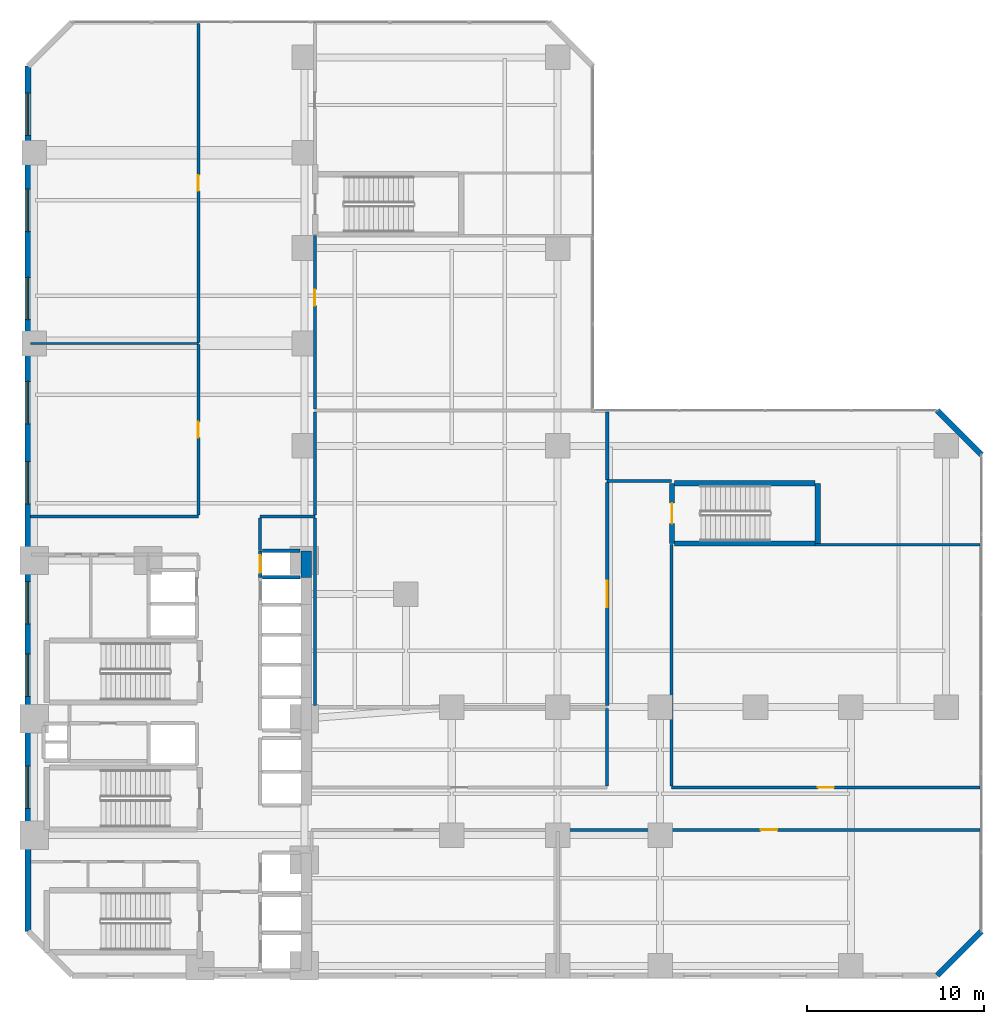
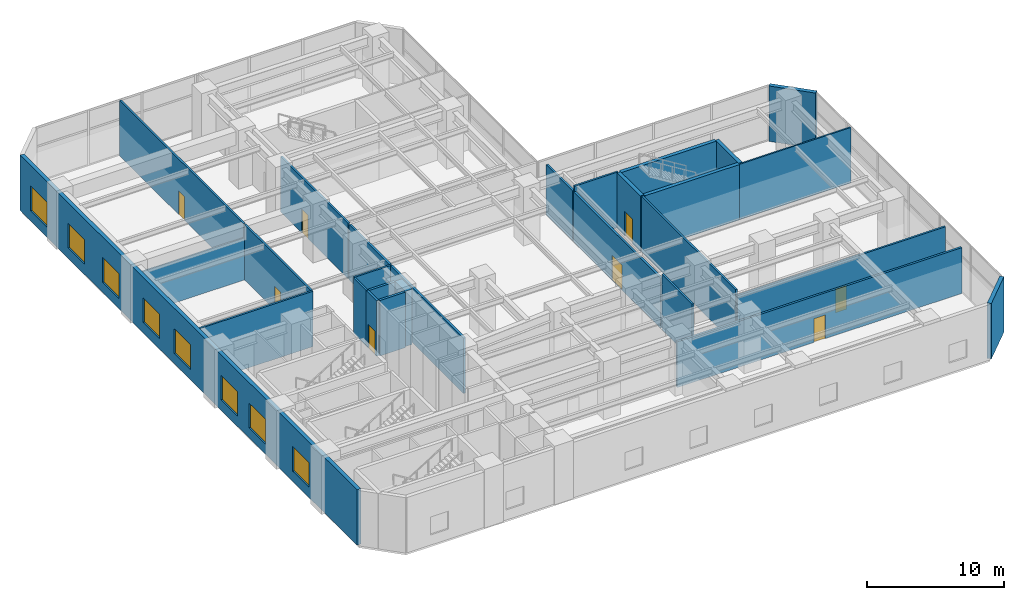
# One storey, part 16 of 22: 28 walls, 8 doors, 8 windows, 16 openings.
"""IFC4 building model written with IfcOpenShell, lengths in metres."""

from ifc_helpers import new_model, si_unit, direction, frame, frame_2d, origin, place, context, subcontext, project, spatial, rectangle, extrude, material, layer, layer_set, type_object, element, fill, save


model = new_model("IFC4")

# Units and contexts
model_context = context("Model", 3, precision=1e-05, world=origin(), true_north=direction((0.0, 1.0)))
body_context = subcontext(model_context, "Body", "Model", "MODEL_VIEW")
ifc_project = project(units=[si_unit("LENGTHUNIT", "METRE"), si_unit("AREAUNIT", "SQUARE_METRE"), si_unit("VOLUMEUNIT", "CUBIC_METRE"), si_unit("PLANEANGLEUNIT", "RADIAN"), si_unit("MASSUNIT", "GRAM", prefix="KILO")], contexts=[model_context])

# Site, building, storey
site_placement = place(None, origin())
site = spatial("IfcSite", under=ifc_project, at=site_placement, CompositionType="ELEMENT")
building_placement = place(site_placement, origin())
building = spatial("IfcBuilding", under=site, at=building_placement, Name="Mawjaban Terraces University", CompositionType="ELEMENT")
storey_placement = place(building_placement, frame((0.0, 0.0, 5.199951171875)))
storey = spatial("IfcBuildingStorey", under=building, at=storey_placement, Name="L01", CompositionType="ELEMENT", Elevation=5.199951171875)

# Wall, opening, door
ifc_material_1 = material(Name="Acoustic masonry blockwork", Category="masonry")
ifc_layer_1 = layer(ifc_material_1, 0.179931640625)
ifc_layer_set_1 = layer_set([ifc_layer_1], Name="Acoustic masonry blockwork")
wall_type_1 = type_object("IfcWallType", Name="AcousticStudioWall_180", PredefinedType="PARTITIONING", material=ifc_layer_set_1)
wall_1_placement = place(storey_placement, frame((52.0, 8.25, 0.0), z_axis=(0.0, 0.0, 1.0), x_axis=(1.0, 0.0, 0.0)))
wall_1 = element("IfcWall", 1, at=wall_1_placement, inside=storey, type_object=wall_type_1, Name="L01 Podium Academic Gallery Corridor Partition 18", PredefinedType="PARTITIONING", context=body_context, shape_type="SweptSolid", body=[
    extrude(rectangle(XDim=23.919921875, YDim=0.179931640625, at=frame_2d((11.9599609375, 0.0))), origin(), (0.0, 0.0, 1.0), 4.06494140625),
])
opening_1_placement = place(wall_1_placement, frame((11.485107421875, 0.0, 0.0)))
opening_1 = element("IfcOpeningElement", 2, at=opening_1_placement, cuts=wall_1, Name="Opening ID-095", PredefinedType="OPENING", context=body_context, shape_type="SweptSolid", body=[
    extrude(rectangle(XDim=0.949951171875, YDim=2.10009765625, at=frame_2d((0.47509765625, 1.050048828125))), frame((0.0, 0.099853515625, 0.0), z_axis=(0.0, -1.0, 0.0), x_axis=(1.0, 0.0, 0.0)), (0.0, 0.0, 1.0), 0.199951171875),
])
ifc_material_2 = material(Name="Powder-coated steel frame and solid acoustic timber leaf", Category="steel")
door_type_1 = type_object("IfcDoorType", Name="StudioDoor_950x2100", OperationType="NOTDEFINED", PredefinedType="DOOR", material=ifc_material_2)
door_1_placement = place(opening_1_placement, origin())
door_1 = element("IfcDoor", 3, at=door_1_placement, inside=storey, type_object=door_type_1, Name="L01 Instructional Media Studio Door", OperationType="SINGLE_SWING_LEFT", OverallHeight=2.10009765625, OverallWidth=0.949951171875, PredefinedType="DOOR", context=body_context, shape_type="SweptSolid", body=[
    extrude(rectangle(XDim=0.949951171875, YDim=2.10009765625, at=frame_2d((0.47509765625, 1.050048828125))), frame((0.0, 0.02490234375, 0.0), z_axis=(0.0, -1.0, 0.0), x_axis=(1.0, 0.0, 0.0)), (0.0, 0.0, 1.0), 0.050048828125),
])
fill(opening_1, door_1)

# Walls
wall_2_placement = place(storey_placement, frame((38.25, 25.925048828125, 0.0), z_axis=(0.0, 0.0, 1.0), x_axis=(0.0, -1.0, 0.0)))
element("IfcWall", 4, at=wall_2_placement, inside=storey, type_object=wall_type_1, Name="L01 Fixed-Seat Lecture Theatre Partition 35", PredefinedType="PARTITIONING", context=body_context, shape_type="SweptSolid", body=[
    extrude(rectangle(XDim=10.64013671875, YDim=0.179931640625, at=frame_2d((5.320068359375, 0.0))), origin(), (0.0, 0.0, 1.0), 4.920166015625),
])
wall_3_placement = place(storey_placement, frame((38.25, 26.074951171875, 0.0), z_axis=(0.0, 0.0, 1.0), x_axis=(0.0, 1.0, 0.0)))
element("IfcWall", 5, at=wall_3_placement, inside=storey, type_object=wall_type_1, Name="L01 Podium Library Concourse Partition 36", PredefinedType="PARTITIONING", context=body_context, shape_type="SweptSolid", body=[
    extrude(rectangle(XDim=5.840087890625, YDim=0.179931640625, at=frame_2d((2.919921875, 0.0))), origin(), (0.0, 0.0, 1.0), 4.920166015625),
])
wall_4_placement = place(storey_placement, frame((54.800048828125, 28.074951171875, 0.0), z_axis=(0.0, 0.0, 1.0), x_axis=(0.0, 1.0, 0.0)))
element("IfcWall", 6, at=wall_4_placement, inside=storey, type_object=wall_type_1, Name="L01 Fixed-Seat Lecture Theatre Partition 41", PredefinedType="PARTITIONING", context=body_context, shape_type="SweptSolid", body=[
    extrude(rectangle(XDim=3.8349609375, YDim=0.179931640625, at=frame_2d((1.91748046875, 0.0))), origin(), (0.0, 0.0, 1.0), 4.450927734375),
])

# Wall, opening, door
wall_5_placement = place(storey_placement, frame((54.800048828125, 27.925048828125, 0.0), z_axis=(0.0, 0.0, 1.0), x_axis=(0.0, -1.0, 0.0)))
wall_5 = element("IfcWall", 7, at=wall_5_placement, inside=storey, type_object=wall_type_1, Name="L01 East Stair Access Corridor Partition 42", PredefinedType="PARTITIONING", context=body_context, shape_type="SweptSolid", body=[
    extrude(rectangle(XDim=12.64013671875, YDim=0.179931640625, at=frame_2d((6.320068359375, 0.0))), origin(), (0.0, 0.0, 1.0), 4.450927734375),
])
opening_2_placement = place(wall_5_placement, frame((5.570068359375, 0.0, 0.0)))
opening_2 = element("IfcOpeningElement", 8, at=opening_2_placement, cuts=wall_5, Name="Opening ID-150", PredefinedType="OPENING", context=body_context, shape_type="SweptSolid", body=[
    extrude(rectangle(XDim=1.5, YDim=2.199951171875, at=frame_2d((0.75, 1.10009765625))), frame((0.0, 0.099853515625, 0.0), z_axis=(0.0, -1.0, 0.0), x_axis=(1.0, 0.0, 0.0)), (0.0, 0.0, 1.0), 0.199951171875),
])
ifc_material_3 = material(Name="Powder-coated steel frame and fire-rated steel-faced leaf", Category="steel")
door_type_2 = type_object("IfcDoorType", Name="LectureDoubleDoor_1500x2200", OperationType="NOTDEFINED", PredefinedType="DOOR", material=ifc_material_3)
door_2_placement = place(opening_2_placement, origin())
door_2 = element("IfcDoor", 9, at=door_2_placement, inside=storey, type_object=door_type_2, Name="L01 Fixed-Seat Lecture Theatre Door", OperationType="SINGLE_SWING_LEFT", OverallHeight=2.199951171875, OverallWidth=1.5, PredefinedType="DOOR", context=body_context, shape_type="SweptSolid", body=[
    extrude(rectangle(XDim=1.5, YDim=2.199951171875, at=frame_2d((0.75, 1.10009765625))), frame((0.0, 0.02490234375, 0.0), z_axis=(0.0, -1.0, 0.0), x_axis=(1.0, 0.0, 0.0)), (0.0, 0.0, 1.0), 0.050048828125),
])
fill(opening_2, door_2)

# Walls
ifc_material_4 = material(Name="Concrete C70/85", Category="concrete")
ifc_layer_2 = layer(ifc_material_4, 0.60009765625)
ifc_layer_set_2 = layer_set([ifc_layer_2], Name="Concrete C70/85")
wall_type_2 = type_object("IfcWallType", Name="CoreShearWall_600", PredefinedType="SHEAR", material=ifc_layer_set_2)
wall_6_placement = place(storey_placement, frame((37.75, 22.550048828125, 0.0), z_axis=(0.0, 0.0, 1.0), x_axis=(0.0, 1.0, 0.0)))
element("IfcWall", 10, at=wall_6_placement, inside=storey, type_object=wall_type_2, Name="L01 Lift PL-L2 Hoistway Wall East", PredefinedType="SHEAR", context=body_context, shape_type="SweptSolid", body=[
    extrude(rectangle(XDim=1.5, YDim=0.60009765625, at=frame_2d((0.75, 0.0))), origin(), (0.0, 0.0, 1.0), 4.920166015625),
])
ifc_material_5 = material(Name="Fire-rated gypsum board on steel stud", Category="steel")
ifc_layer_3 = layer(ifc_material_5, 0.159912109375)
ifc_layer_set_3 = layer_set([ifc_layer_3], Name="Fire-rated gypsum board on steel stud")
wall_type_3 = type_object("IfcWallType", Name="CorridorPartition_160", PredefinedType="PARTITIONING", material=ifc_layer_set_3)
wall_7_placement = place(storey_placement, frame((31.64990234375, 26.0, 0.0), z_axis=(0.0, 0.0, 1.0), x_axis=(-1.0, 0.0, 0.0)))
element("IfcWall", 11, at=wall_7_placement, inside=storey, type_object=wall_type_3, Name="L01 North Core Cross-Corridor Partition 10", PredefinedType="PARTITIONING", context=body_context, shape_type="SweptSolid", body=[
    extrude(rectangle(XDim=9.494873046875, YDim=0.159912109375, at=frame_2d((4.74755859375, 0.0))), origin(), (0.0, 0.0, 1.0), 4.920166015625),
])
wall_8_placement = place(storey_placement, frame((35.14990234375, 26.0, 0.0), z_axis=(0.0, 0.0, 1.0), x_axis=(1.0, 0.0, 0.0)))
element("IfcWall", 12, at=wall_8_placement, inside=storey, type_object=wall_type_3, Name="L01 Podium Library Concourse Partition 13", PredefinedType="PARTITIONING", context=body_context, shape_type="SweptSolid", body=[
    extrude(rectangle(XDim=3.10009765625, YDim=0.159912109375, at=frame_2d((1.550048828125, 0.0))), origin(), (0.0, 0.0, 1.0), 4.920166015625),
])
wall_9_placement = place(storey_placement, frame((58.449951171875, 28.0, 0.0), z_axis=(0.0, 0.0, 1.0), x_axis=(-1.0, 0.0, 0.0)))
element("IfcWall", 13, at=wall_9_placement, inside=storey, type_object=wall_type_3, Name="L01 East Stair Access Corridor Partition 21", PredefinedType="PARTITIONING", context=body_context, shape_type="SweptSolid", body=[
    extrude(rectangle(XDim=3.64990234375, YDim=0.159912109375, at=frame_2d((1.824951171875, 0.0))), origin(), (0.0, 0.0, 1.0), 4.920166015625),
])

# Wall, opening, door
wall_10_placement = place(storey_placement, frame((75.919921875, 10.64990234375, 0.0), z_axis=(0.0, 0.0, 1.0), x_axis=(-1.0, 0.0, 0.0)))
wall_10 = element("IfcWall", 14, at=wall_10_placement, inside=storey, type_object=wall_type_3, Name="L01 Podium Academic Gallery Corridor Partition 22", PredefinedType="PARTITIONING", context=body_context, shape_type="SweptSolid", body=[
    extrude(rectangle(XDim=17.469970703125, YDim=0.159912109375, at=frame_2d((8.73486328125, 0.0))), origin(), (0.0, 0.0, 1.0), 4.450927734375),
])
opening_3_placement = place(wall_10_placement, frame((8.284912109375, 0.0, 0.0)))
opening_3 = element("IfcOpeningElement", 15, at=opening_3_placement, cuts=wall_10, Name="Opening ID-090", PredefinedType="OPENING", context=body_context, shape_type="SweptSolid", body=[
    extrude(rectangle(XDim=0.89990234375, YDim=2.10009765625, at=frame_2d((0.449951171875, 1.050048828125))), frame((0.0, 0.08984375, 0.0), z_axis=(0.0, -1.0, 0.0), x_axis=(1.0, 0.0, 0.0)), (0.0, 0.0, 1.0), 0.179931640625),
])
door_type_3 = type_object("IfcDoorType", Name="OfficeDoor_900x2100", OperationType="NOTDEFINED", PredefinedType="DOOR", material=ifc_material_2)
door_3_placement = place(opening_3_placement, origin())
door_3 = element("IfcDoor", 16, at=door_3_placement, inside=storey, type_object=door_type_3, Name="L01 Podium Colloquium Hall Door", OperationType="SINGLE_SWING_RIGHT", OverallHeight=2.10009765625, OverallWidth=0.89990234375, PredefinedType="DOOR", context=body_context, shape_type="SweptSolid", body=[
    extrude(rectangle(XDim=0.89990234375, YDim=2.10009765625, at=frame_2d((0.449951171875, 1.050048828125))), frame((0.0, 0.02490234375, 0.0), z_axis=(0.0, -1.0, 0.0), x_axis=(1.0, 0.0, 0.0)), (0.0, 0.0, 1.0), 0.050048828125),
])
fill(opening_3, door_3)

wall_11_placement = place(storey_placement, frame((31.64990234375, 35.741943359375, 0.0), z_axis=(0.0, 0.0, 1.0), x_axis=(0.0, -1.0, 0.0)))
wall_11 = element("IfcWall", 17, at=wall_11_placement, inside=storey, type_object=wall_type_3, Name="L01 Podium Library Concourse Partition 31", PredefinedType="PARTITIONING", context=body_context, shape_type="SweptSolid", body=[
    extrude(rectangle(XDim=9.6669921875, YDim=0.159912109375, at=frame_2d((4.83349609375, 0.0))), origin(), (0.0, 0.0, 1.0), 4.920166015625),
])
opening_4_placement = place(wall_11_placement, frame((4.383056640625, 0.0, 0.0)))
opening_4 = element("IfcOpeningElement", 18, at=opening_4_placement, cuts=wall_11, Name="Opening ID-090", PredefinedType="OPENING", context=body_context, shape_type="SweptSolid", body=[
    extrude(rectangle(XDim=0.89990234375, YDim=2.10009765625, at=frame_2d((0.449951171875, 1.050048828125))), frame((0.0, 0.08984375, 0.0), z_axis=(0.0, -1.0, 0.0), x_axis=(1.0, 0.0, 0.0)), (0.0, 0.0, 1.0), 0.179931640625),
])
door_4_placement = place(opening_4_placement, origin())
door_4 = element("IfcDoor", 19, at=door_4_placement, inside=storey, type_object=door_type_3, Name="L01 Central Library Bookstack Hall Door", OperationType="SINGLE_SWING_RIGHT", OverallHeight=2.10009765625, OverallWidth=0.89990234375, PredefinedType="DOOR", context=body_context, shape_type="SweptSolid", body=[
    extrude(rectangle(XDim=0.89990234375, YDim=2.10009765625, at=frame_2d((0.449951171875, 1.050048828125))), frame((0.0, 0.02490234375, 0.0), z_axis=(0.0, -1.0, 0.0), x_axis=(1.0, 0.0, 0.0)), (0.0, 0.0, 1.0), 0.050048828125),
])
fill(opening_4, door_4)

wall_12_placement = place(storey_placement, frame((31.64990234375, 53.909912109375, 0.0), z_axis=(0.0, 0.0, 1.0), x_axis=(0.0, -1.0, 0.0)))
wall_12 = element("IfcWall", 20, at=wall_12_placement, inside=storey, type_object=wall_type_3, Name="L01 Podium Library Concourse Partition 32", PredefinedType="PARTITIONING", context=body_context, shape_type="SweptSolid", body=[
    extrude(rectangle(XDim=18.052978515625, YDim=0.159912109375, at=frame_2d((9.0263671875, 0.0))), origin(), (0.0, 0.0, 1.0), 4.920166015625),
])
opening_5_placement = place(wall_12_placement, frame((8.575927734375, 0.0, 0.0)))
opening_5 = element("IfcOpeningElement", 21, at=opening_5_placement, cuts=wall_12, Name="Opening ID-090", PredefinedType="OPENING", context=body_context, shape_type="SweptSolid", body=[
    extrude(rectangle(XDim=0.89990234375, YDim=2.10009765625, at=frame_2d((0.449951171875, 1.050048828125))), frame((0.0, 0.08984375, 0.0), z_axis=(0.0, -1.0, 0.0), x_axis=(1.0, 0.0, 0.0)), (0.0, 0.0, 1.0), 0.179931640625),
])
door_5_placement = place(opening_5_placement, origin())
door_5 = element("IfcDoor", 22, at=door_5_placement, inside=storey, type_object=door_type_3, Name="L01 Library Cataloguing and Faculty Office Door", OperationType="SINGLE_SWING_LEFT", OverallHeight=2.10009765625, OverallWidth=0.89990234375, PredefinedType="DOOR", context=body_context, shape_type="SweptSolid", body=[
    extrude(rectangle(XDim=0.89990234375, YDim=2.10009765625, at=frame_2d((0.449951171875, 1.050048828125))), frame((0.0, 0.02490234375, 0.0), z_axis=(0.0, -1.0, 0.0), x_axis=(1.0, 0.0, 0.0)), (0.0, 0.0, 1.0), 0.050048828125),
])
fill(opening_5, door_5)

# Wall
wall_13_placement = place(storey_placement, frame((35.14990234375, 24.070068359375, 0.0), z_axis=(0.0, 0.0, 1.0), x_axis=(0.0, 1.0, 0.0)))
element("IfcWall", 23, at=wall_13_placement, inside=storey, type_object=wall_type_3, Name="L01 North Core Cross-Corridor Partition 33", PredefinedType="PARTITIONING", context=body_context, shape_type="SweptSolid", body=[
    extrude(rectangle(XDim=1.85498046875, YDim=0.159912109375, at=frame_2d((0.927490234375, 0.0))), origin(), (0.0, 0.0, 1.0), 4.920166015625),
])

# Wall, opening, door
wall_14_placement = place(storey_placement, frame((38.25, 32.0849609375, 0.0), z_axis=(0.0, 0.0, 1.0), x_axis=(0.0, 1.0, 0.0)))
wall_14 = element("IfcWall", 24, at=wall_14_placement, inside=storey, type_object=wall_type_3, Name="L01 Podium Library Concourse Partition 37", PredefinedType="PARTITIONING", context=body_context, shape_type="SweptSolid", body=[
    extrude(rectangle(XDim=9.81494140625, YDim=0.159912109375, at=frame_2d((4.907470703125, 0.0))), origin(), (0.0, 0.0, 1.0), 4.920166015625),
])
opening_6_placement = place(wall_14_placement, frame((5.85693359375, 0.0, 0.0)))
opening_6 = element("IfcOpeningElement", 25, at=opening_6_placement, cuts=wall_14, Name="Opening ID-090", PredefinedType="OPENING", context=body_context, shape_type="SweptSolid", body=[
    extrude(rectangle(XDim=0.89990234375, YDim=2.10009765625, at=frame_2d((0.449951171875, 1.050048828125))), frame((0.0, 0.08984375, 0.0), z_axis=(0.0, -1.0, 0.0), x_axis=(1.0, 0.0, 0.0)), (0.0, 0.0, 1.0), 0.179931640625),
])
door_6_placement = place(opening_6_placement, origin())
door_6 = element("IfcDoor", 26, at=door_6_placement, inside=storey, type_object=door_type_3, Name="L01 Digital Scholarship Reading Hall Door", OperationType="SINGLE_SWING_RIGHT", OverallHeight=2.10009765625, OverallWidth=0.89990234375, PredefinedType="DOOR", context=body_context, shape_type="SweptSolid", body=[
    extrude(rectangle(XDim=0.89990234375, YDim=2.10009765625, at=frame_2d((0.449951171875, 1.050048828125))), frame((0.0, 0.02490234375, 0.0), z_axis=(0.0, -1.0, 0.0), x_axis=(1.0, 0.0, 0.0)), (0.0, 0.0, 1.0), 0.050048828125),
])
fill(opening_6, door_6)

# Walls
wall_15_placement = place(storey_placement, frame((54.800048828125, 15.114990234375, 0.0), z_axis=(0.0, 0.0, 1.0), x_axis=(0.0, -1.0, 0.0)))
element("IfcWall", 27, at=wall_15_placement, inside=storey, type_object=wall_type_3, Name="L01 East Stair Access Corridor Partition 40", PredefinedType="PARTITIONING", context=body_context, shape_type="SweptSolid", body=[
    extrude(rectangle(XDim=4.389892578125, YDim=0.159912109375, at=frame_2d((2.19482421875, 0.0))), origin(), (0.0, 0.0, 1.0), 4.920166015625),
])
wall_16_placement = place(storey_placement, frame((58.449951171875, 10.72509765625, 0.0), z_axis=(0.0, 0.0, 1.0), x_axis=(0.0, 1.0, 0.0)))
element("IfcWall", 28, at=wall_16_placement, inside=storey, type_object=wall_type_3, Name="L01 East Stair Access Corridor Partition 43", PredefinedType="PARTITIONING", context=body_context, shape_type="SweptSolid", body=[
    extrude(rectangle(XDim=13.6748046875, YDim=0.159912109375, at=frame_2d((6.83740234375, 0.0))), origin(), (0.0, 0.0, 1.0), 4.920166015625),
])
ifc_material_6 = material(Name="Insulated terracotta rainscreen on concrete backup C40/50", Category="masonry")
ifc_layer_4 = layer(ifc_material_6, 0.320068359375)
ifc_layer_set_4 = layer_set([ifc_layer_4], Name="Insulated terracotta rainscreen on concrete backup C40/50")
wall_type_4 = type_object("IfcWallType", Name="ExtTerracottaWall_320", PredefinedType="SOLIDWALL", material=ifc_layer_set_4)
for number, where, z_axis, x_axis, name in (
    (29, (73.5, 0.0, 0.0), (0.0, 0.0, 1.0), (0.707106781187, 0.707106781187, 0.0), "L01 Exterior Terracotta Wall 2"),
    (30, (76.0, 29.5, 0.0), (0.0, 0.0, 1.0), (-0.707106781187, 0.707106781187, 0.0), "L01 Exterior Terracotta Wall 4"),
):
    element("IfcWall", number, at=place(storey_placement, frame(where, z_axis=z_axis, x_axis=x_axis)), inside=storey, type_object=wall_type_4, Name=name, PredefinedType="SOLIDWALL", context=body_context, shape_type="SweptSolid", body=[
        extrude(rectangle(XDim=3.53564453125, YDim=0.320068359375, at=frame_2d((1.767822265625, 0.0))), origin(), (0.0, 0.0, 1.0), 4.920166015625),
    ])

# Wall, openings, windows
wall_17_placement = place(storey_placement, frame((22.0, 51.5, 0.0), z_axis=(0.0, 0.0, 1.0), x_axis=(0.0, -1.0, 0.0)))
wall_17 = element("IfcWall", 31, at=wall_17_placement, inside=storey, type_object=wall_type_4, Name="L01 Exterior Terracotta Wall 10", PredefinedType="SOLIDWALL", context=body_context, shape_type="SweptSolid", body=[
    extrude(rectangle(XDim=49.0, YDim=0.320068359375, at=frame_2d((24.5, 0.0))), origin(), (0.0, 0.0, 1.0), 4.920166015625),
])
opening_7_placement = place(wall_17_placement, frame((1.52197265625, 0.0, 0.89990234375)))
opening_7 = element("IfcOpeningElement", 32, at=opening_7_placement, cuts=wall_17, Name="Opening W-11", PredefinedType="OPENING", context=body_context, shape_type="SweptSolid", body=[
    extrude(rectangle(XDim=2.39990234375, YDim=2.199951171875, at=frame_2d((1.199951171875, 1.10009765625))), frame((0.0, 0.169921875, 0.0), z_axis=(0.0, -1.0, 0.0), x_axis=(1.0, 0.0, 0.0)), (0.0, 0.0, 1.0), 0.340087890625),
])
opening_8_placement = place(wall_17_placement, frame((6.967041015625, 0.0, 0.89990234375)))
opening_8 = element("IfcOpeningElement", 33, at=opening_8_placement, cuts=wall_17, Name="Opening W-11", PredefinedType="OPENING", context=body_context, shape_type="SweptSolid", body=[
    extrude(rectangle(XDim=2.39990234375, YDim=2.199951171875, at=frame_2d((1.199951171875, 1.10009765625))), frame((0.0, 0.169921875, 0.0), z_axis=(0.0, -1.0, 0.0), x_axis=(1.0, 0.0, 0.0)), (0.0, 0.0, 1.0), 0.340087890625),
])
opening_9_placement = place(wall_17_placement, frame((11.9609375, 0.0, 0.89990234375)))
opening_9 = element("IfcOpeningElement", 34, at=opening_9_placement, cuts=wall_17, Name="Opening W-11", PredefinedType="OPENING", context=body_context, shape_type="SweptSolid", body=[
    extrude(rectangle(XDim=2.39990234375, YDim=2.199951171875, at=frame_2d((1.199951171875, 1.10009765625))), frame((0.0, 0.169921875, 0.0), z_axis=(0.0, -1.0, 0.0), x_axis=(1.0, 0.0, 0.0)), (0.0, 0.0, 1.0), 0.340087890625),
])
opening_10_placement = place(wall_17_placement, frame((17.85595703125, 0.0, 0.89990234375)))
opening_10 = element("IfcOpeningElement", 35, at=opening_10_placement, cuts=wall_17, Name="Opening W-11", PredefinedType="OPENING", context=body_context, shape_type="SweptSolid", body=[
    extrude(rectangle(XDim=2.39990234375, YDim=2.199951171875, at=frame_2d((1.199951171875, 1.10009765625))), frame((0.0, 0.169921875, 0.0), z_axis=(0.0, -1.0, 0.0), x_axis=(1.0, 0.0, 0.0)), (0.0, 0.0, 1.0), 0.340087890625),
])
opening_11_placement = place(wall_17_placement, frame((22.39990234375, 0.0, 0.89990234375)))
opening_11 = element("IfcOpeningElement", 36, at=opening_11_placement, cuts=wall_17, Name="Opening W-11", PredefinedType="OPENING", context=body_context, shape_type="SweptSolid", body=[
    extrude(rectangle(XDim=2.39990234375, YDim=2.199951171875, at=frame_2d((1.199951171875, 1.10009765625))), frame((0.0, 0.169921875, 0.0), z_axis=(0.0, -1.0, 0.0), x_axis=(1.0, 0.0, 0.0)), (0.0, 0.0, 1.0), 0.340087890625),
])
opening_12_placement = place(wall_17_placement, frame((29.194091796875, 0.0, 0.89990234375)))
opening_12 = element("IfcOpeningElement", 37, at=opening_12_placement, cuts=wall_17, Name="Opening W-11", PredefinedType="OPENING", context=body_context, shape_type="SweptSolid", body=[
    extrude(rectangle(XDim=2.39990234375, YDim=2.199951171875, at=frame_2d((1.199951171875, 1.10009765625))), frame((0.0, 0.169921875, 0.0), z_axis=(0.0, -1.0, 0.0), x_axis=(1.0, 0.0, 0.0)), (0.0, 0.0, 1.0), 0.340087890625),
])
opening_13_placement = place(wall_17_placement, frame((33.2890625, 0.0, 0.89990234375)))
opening_13 = element("IfcOpeningElement", 38, at=opening_13_placement, cuts=wall_17, Name="Opening W-11", PredefinedType="OPENING", context=body_context, shape_type="SweptSolid", body=[
    extrude(rectangle(XDim=2.39990234375, YDim=2.199951171875, at=frame_2d((1.199951171875, 1.10009765625))), frame((0.0, 0.169921875, 0.0), z_axis=(0.0, -1.0, 0.0), x_axis=(1.0, 0.0, 0.0)), (0.0, 0.0, 1.0), 0.340087890625),
])
opening_14_placement = place(wall_17_placement, frame((39.633056640625, 0.0, 0.89990234375)))
opening_14 = element("IfcOpeningElement", 39, at=opening_14_placement, cuts=wall_17, Name="Opening W-11", PredefinedType="OPENING", context=body_context, shape_type="SweptSolid", body=[
    extrude(rectangle(XDim=2.39990234375, YDim=2.199951171875, at=frame_2d((1.199951171875, 1.10009765625))), frame((0.0, 0.169921875, 0.0), z_axis=(0.0, -1.0, 0.0), x_axis=(1.0, 0.0, 0.0)), (0.0, 0.0, 1.0), 0.340087890625),
])
ifc_material_7 = material(Name="Low-E solar-control double glazing in thermally broken aluminium frame", Category="aluminium")
window_type = type_object("IfcWindowType", Name="Win_2400x2200", PartitioningType="SINGLE_PANEL", PredefinedType="WINDOW", material=ifc_material_7)
window_1_placement = place(opening_7_placement, origin())
window_1 = element("IfcWindow", 40, at=window_1_placement, inside=storey, type_object=window_type, Name="L01 Facade Window 10.1", OverallHeight=2.199951171875, OverallWidth=2.39990234375, PartitioningType="SINGLE_PANEL", PredefinedType="WINDOW", context=body_context, shape_type="SweptSolid", body=[
    extrude(rectangle(XDim=2.39990234375, YDim=2.199951171875, at=frame_2d((1.199951171875, 1.10009765625))), frame((0.0, 0.030029296875, 0.0), z_axis=(0.0, -1.0, 0.0), x_axis=(1.0, 0.0, 0.0)), (0.0, 0.0, 1.0), 0.06005859375),
])
fill(opening_7, window_1)
window_2_placement = place(opening_8_placement, origin())
window_2 = element("IfcWindow", 41, at=window_2_placement, inside=storey, type_object=window_type, Name="L01 Facade Window 10.2", OverallHeight=2.199951171875, OverallWidth=2.39990234375, PartitioningType="SINGLE_PANEL", PredefinedType="WINDOW", context=body_context, shape_type="SweptSolid", body=[
    extrude(rectangle(XDim=2.39990234375, YDim=2.199951171875, at=frame_2d((1.199951171875, 1.10009765625))), frame((0.0, 0.030029296875, 0.0), z_axis=(0.0, -1.0, 0.0), x_axis=(1.0, 0.0, 0.0)), (0.0, 0.0, 1.0), 0.06005859375),
])
fill(opening_8, window_2)
window_3_placement = place(opening_9_placement, origin())
window_3 = element("IfcWindow", 42, at=window_3_placement, inside=storey, type_object=window_type, Name="L01 Facade Window 10.3", OverallHeight=2.199951171875, OverallWidth=2.39990234375, PartitioningType="SINGLE_PANEL", PredefinedType="WINDOW", context=body_context, shape_type="SweptSolid", body=[
    extrude(rectangle(XDim=2.39990234375, YDim=2.199951171875, at=frame_2d((1.199951171875, 1.10009765625))), frame((0.0, 0.030029296875, 0.0), z_axis=(0.0, -1.0, 0.0), x_axis=(1.0, 0.0, 0.0)), (0.0, 0.0, 1.0), 0.06005859375),
])
fill(opening_9, window_3)
window_4_placement = place(opening_10_placement, origin())
window_4 = element("IfcWindow", 43, at=window_4_placement, inside=storey, type_object=window_type, Name="L01 Facade Window 10.4", OverallHeight=2.199951171875, OverallWidth=2.39990234375, PartitioningType="SINGLE_PANEL", PredefinedType="WINDOW", context=body_context, shape_type="SweptSolid", body=[
    extrude(rectangle(XDim=2.39990234375, YDim=2.199951171875, at=frame_2d((1.199951171875, 1.10009765625))), frame((0.0, 0.030029296875, 0.0), z_axis=(0.0, -1.0, 0.0), x_axis=(1.0, 0.0, 0.0)), (0.0, 0.0, 1.0), 0.06005859375),
])
fill(opening_10, window_4)
window_5_placement = place(opening_11_placement, origin())
window_5 = element("IfcWindow", 44, at=window_5_placement, inside=storey, type_object=window_type, Name="L01 Facade Window 10.5", OverallHeight=2.199951171875, OverallWidth=2.39990234375, PartitioningType="SINGLE_PANEL", PredefinedType="WINDOW", context=body_context, shape_type="SweptSolid", body=[
    extrude(rectangle(XDim=2.39990234375, YDim=2.199951171875, at=frame_2d((1.199951171875, 1.10009765625))), frame((0.0, 0.030029296875, 0.0), z_axis=(0.0, -1.0, 0.0), x_axis=(1.0, 0.0, 0.0)), (0.0, 0.0, 1.0), 0.06005859375),
])
fill(opening_11, window_5)
window_6_placement = place(opening_12_placement, origin())
window_6 = element("IfcWindow", 45, at=window_6_placement, inside=storey, type_object=window_type, Name="L01 Facade Window 10.6", OverallHeight=2.199951171875, OverallWidth=2.39990234375, PartitioningType="SINGLE_PANEL", PredefinedType="WINDOW", context=body_context, shape_type="SweptSolid", body=[
    extrude(rectangle(XDim=2.39990234375, YDim=2.199951171875, at=frame_2d((1.199951171875, 1.10009765625))), frame((0.0, 0.030029296875, 0.0), z_axis=(0.0, -1.0, 0.0), x_axis=(1.0, 0.0, 0.0)), (0.0, 0.0, 1.0), 0.06005859375),
])
fill(opening_12, window_6)
window_7_placement = place(opening_13_placement, origin())
window_7 = element("IfcWindow", 46, at=window_7_placement, inside=storey, type_object=window_type, Name="L01 Facade Window 10.7", OverallHeight=2.199951171875, OverallWidth=2.39990234375, PartitioningType="SINGLE_PANEL", PredefinedType="WINDOW", context=body_context, shape_type="SweptSolid", body=[
    extrude(rectangle(XDim=2.39990234375, YDim=2.199951171875, at=frame_2d((1.199951171875, 1.10009765625))), frame((0.0, 0.030029296875, 0.0), z_axis=(0.0, -1.0, 0.0), x_axis=(1.0, 0.0, 0.0)), (0.0, 0.0, 1.0), 0.06005859375),
])
fill(opening_13, window_7)
window_8_placement = place(opening_14_placement, origin())
window_8 = element("IfcWindow", 47, at=window_8_placement, inside=storey, type_object=window_type, Name="L01 Facade Window 10.8", OverallHeight=2.199951171875, OverallWidth=2.39990234375, PartitioningType="SINGLE_PANEL", PredefinedType="WINDOW", context=body_context, shape_type="SweptSolid", body=[
    extrude(rectangle(XDim=2.39990234375, YDim=2.199951171875, at=frame_2d((1.199951171875, 1.10009765625))), frame((0.0, 0.030029296875, 0.0), z_axis=(0.0, -1.0, 0.0), x_axis=(1.0, 0.0, 0.0)), (0.0, 0.0, 1.0), 0.06005859375),
])
fill(opening_14, window_8)

# Wall
ifc_material_8 = material(Name="Concrete C40/50", Category="concrete")
ifc_layer_5 = layer(ifc_material_8, 0.199951171875)
ifc_layer_set_5 = layer_set([ifc_layer_5], Name="Concrete C40/50")
wall_type_5 = type_object("IfcWallType", Name="FireLobbyWall_200", PredefinedType="SOLIDWALL", material=ifc_layer_set_5)
wall_18_placement = place(storey_placement, frame((37.419921875, 22.550048828125, 0.0), z_axis=(0.0, 0.0, 1.0), x_axis=(-1.0, 0.0, 0.0)))
element("IfcWall", 48, at=wall_18_placement, inside=storey, type_object=wall_type_5, Name="L01 Lift PL-L1 Hoistway Wall North", PredefinedType="SOLIDWALL", context=body_context, shape_type="SweptSolid", body=[
    extrude(rectangle(XDim=2.139892578125, YDim=0.199951171875, at=frame_2d((1.06982421875, 0.0))), origin(), (0.0, 0.0, 1.0), 4.920166015625),
])

# Wall, opening, door
wall_19_placement = place(storey_placement, frame((35.14990234375, 24.050048828125, 0.0), z_axis=(0.0, 0.0, 1.0), x_axis=(0.0, -1.0, 0.0)))
wall_19 = element("IfcWall", 49, at=wall_19_placement, inside=storey, type_object=wall_type_5, Name="L01 Lift PL-L2 Hoistway Wall West", PredefinedType="SOLIDWALL", context=body_context, shape_type="SweptSolid", body=[
    extrude(rectangle(XDim=1.5, YDim=0.199951171875, at=frame_2d((0.75, 0.0))), origin(), (0.0, 0.0, 1.0), 4.920166015625),
])
opening_15_placement = place(wall_19_placement, frame((0.25, 0.0, 0.0)))
opening_15 = element("IfcOpeningElement", 50, at=opening_15_placement, cuts=wall_19, Name="Opening LD-PL-L2", PredefinedType="OPENING", context=body_context, shape_type="SweptSolid", body=[
    extrude(rectangle(XDim=1.0, YDim=2.10009765625, at=frame_2d((0.5, 1.050048828125))), frame((0.0, 0.10986328125, 0.0), z_axis=(0.0, -1.0, 0.0), x_axis=(1.0, 0.0, 0.0)), (0.0, 0.0, 1.0), 0.219970703125),
])
door_type_4 = type_object("IfcDoorType", Name="LiftLandingSliding_1000x2100", OperationType="NOTDEFINED", PredefinedType="DOOR", material=ifc_material_3)
door_7_placement = place(opening_15_placement, origin())
door_7 = element("IfcDoor", 51, at=door_7_placement, inside=storey, type_object=door_type_4, Name="L01 Lift PL-L2 Sliding Landing Door", OperationType="DOUBLE_DOOR_SLIDING", OverallHeight=2.10009765625, OverallWidth=1.0, PredefinedType="DOOR", context=body_context, shape_type="SweptSolid", body=[
    extrude(rectangle(XDim=1.0, YDim=2.10009765625, at=frame_2d((0.5, 1.050048828125))), frame((0.0, 0.02490234375, 0.0), z_axis=(0.0, -1.0, 0.0), x_axis=(1.0, 0.0, 0.0)), (0.0, 0.0, 1.0), 0.050048828125),
])
fill(opening_15, door_7)

# Walls
wall_20_placement = place(storey_placement, frame((37.419921875, 24.050048828125, 0.0), z_axis=(0.0, 0.0, 1.0), x_axis=(-1.0, 0.0, 0.0)))
element("IfcWall", 52, at=wall_20_placement, inside=storey, type_object=wall_type_5, Name="L01 Lift PL-L2 Hoistway Wall North", PredefinedType="SOLIDWALL", context=body_context, shape_type="SweptSolid", body=[
    extrude(rectangle(XDim=2.139892578125, YDim=0.199951171875, at=frame_2d((1.06982421875, 0.0))), origin(), (0.0, 0.0, 1.0), 4.920166015625),
])
ifc_material_9 = material(Name="Gypsum plasterboard on steel stud", Category="steel")
ifc_layer_6 = layer(ifc_material_9, 0.125)
ifc_layer_set_6 = layer_set([ifc_layer_6], Name="Gypsum plasterboard on steel stud")
wall_type_6 = type_object("IfcWallType", Name="OfficePartition_125", PredefinedType="PARTITIONING", material=ifc_layer_set_6)
wall_21_placement = place(storey_placement, frame((31.64990234375, 35.800048828125, 0.0), z_axis=(0.0, 0.0, 1.0), x_axis=(-1.0, 0.0, 0.0)))
element("IfcWall", 53, at=wall_21_placement, inside=storey, type_object=wall_type_6, Name="L01 Central Library Bookstack Hall Partition 11", PredefinedType="PARTITIONING", context=body_context, shape_type="SweptSolid", body=[
    extrude(rectangle(XDim=9.494873046875, YDim=0.125, at=frame_2d((4.74755859375, 0.0))), origin(), (0.0, 0.0, 1.0), 3.719970703125),
])
wall_22_placement = place(storey_placement, frame((75.919921875, 24.39990234375, 0.0), z_axis=(0.0, 0.0, 1.0), x_axis=(-1.0, 0.0, 0.0)))
element("IfcWall", 54, at=wall_22_placement, inside=storey, type_object=wall_type_6, Name="L01 Podium Colloquium Hall Partition 23", PredefinedType="PARTITIONING", context=body_context, shape_type="SweptSolid", body=[
    extrude(rectangle(XDim=9.33984375, YDim=0.125, at=frame_2d((4.669921875, 0.0))), origin(), (0.0, 0.0, 1.0), 4.920166015625),
])
ifc_material_10 = material(Name="Concrete C60/75", Category="concrete")
ifc_layer_7 = layer(ifc_material_10, 0.300048828125)
ifc_layer_set_7 = layer_set([ifc_layer_7], Name="Concrete C60/75")
wall_type_7 = type_object("IfcWallType", Name="StairShaftWall_300", PredefinedType="SHEAR", material=ifc_layer_set_7)
wall_23_placement = place(storey_placement, frame((58.6201171875, 24.469970703125, 0.0), z_axis=(0.0, 0.0, 1.0), x_axis=(1.0, 0.0, 0.0)))
element("IfcWall", 55, at=wall_23_placement, inside=storey, type_object=wall_type_7, Name="L01 ST-5 Stair Shaft Wall 1", PredefinedType="SHEAR", context=body_context, shape_type="SweptSolid", body=[
    extrude(rectangle(XDim=7.9599609375, YDim=0.300048828125, at=frame_2d((3.97998046875, 0.0))), origin(), (0.0, 0.0, 1.0), 4.920166015625),
])
wall_24_placement = place(storey_placement, frame((66.72998046875, 24.469970703125, 0.0), z_axis=(0.0, 0.0, 1.0), x_axis=(0.0, 1.0, 0.0)))
element("IfcWall", 56, at=wall_24_placement, inside=storey, type_object=wall_type_7, Name="L01 ST-5 Stair Shaft Wall 2", PredefinedType="SHEAR", context=body_context, shape_type="SweptSolid", body=[
    extrude(rectangle(XDim=3.409912109375, YDim=0.300048828125, at=frame_2d((1.705078125, 0.0))), origin(), (0.0, 0.0, 1.0), 4.920166015625),
])
wall_25_placement = place(storey_placement, frame((66.580078125, 27.8798828125, 0.0), z_axis=(0.0, 0.0, 1.0), x_axis=(-1.0, 0.0, 0.0)))
element("IfcWall", 57, at=wall_25_placement, inside=storey, type_object=wall_type_7, Name="L01 ST-5 Stair Shaft Wall 3", PredefinedType="SHEAR", context=body_context, shape_type="SweptSolid", body=[
    extrude(rectangle(XDim=7.9599609375, YDim=0.300048828125, at=frame_2d((3.97998046875, 0.0))), origin(), (0.0, 0.0, 1.0), 4.920166015625),
])

# Wall, opening, door
wall_26_placement = place(storey_placement, frame((58.469970703125, 27.8798828125, 0.0), z_axis=(0.0, 0.0, 1.0), x_axis=(0.0, -1.0, 0.0)))
wall_26 = element("IfcWall", 58, at=wall_26_placement, inside=storey, type_object=wall_type_7, Name="L01 ST-5 Stair Shaft Wall 4", PredefinedType="SHEAR", context=body_context, shape_type="SweptSolid", body=[
    extrude(rectangle(XDim=3.409912109375, YDim=0.300048828125, at=frame_2d((1.705078125, 0.0))), origin(), (0.0, 0.0, 1.0), 4.920166015625),
])
opening_16_placement = place(wall_26_placement, frame((1.1298828125, 0.0, 0.0)))
opening_16 = element("IfcOpeningElement", 59, at=opening_16_placement, cuts=wall_26, Name="Opening FD-115", PredefinedType="OPENING", context=body_context, shape_type="SweptSolid", body=[
    extrude(rectangle(XDim=1.14990234375, YDim=2.14990234375, at=frame_2d((0.574951171875, 1.074951171875))), frame((0.0, 0.159912109375, 0.0), z_axis=(0.0, -1.0, 0.0), x_axis=(1.0, 0.0, 0.0)), (0.0, 0.0, 1.0), 0.320068359375),
])
door_type_5 = type_object("IfcDoorType", Name="FireStairDoor_1150x2150", OperationType="NOTDEFINED", PredefinedType="DOOR", material=ifc_material_3)
door_8_placement = place(opening_16_placement, origin())
door_8 = element("IfcDoor", 60, at=door_8_placement, inside=storey, type_object=door_type_5, Name="L01 ST-5 Pressurised Stair Fire Door", OperationType="SINGLE_SWING_LEFT", OverallHeight=2.14990234375, OverallWidth=1.14990234375, PredefinedType="DOOR", context=body_context, shape_type="SweptSolid", body=[
    extrude(rectangle(XDim=1.14990234375, YDim=2.14990234375, at=frame_2d((0.574951171875, 1.074951171875))), frame((0.0, 0.02490234375, 0.0), z_axis=(0.0, -1.0, 0.0), x_axis=(1.0, 0.0, 0.0)), (0.0, 0.0, 1.0), 0.050048828125),
])
fill(opening_16, door_8)

save(model, "model.ifc")
